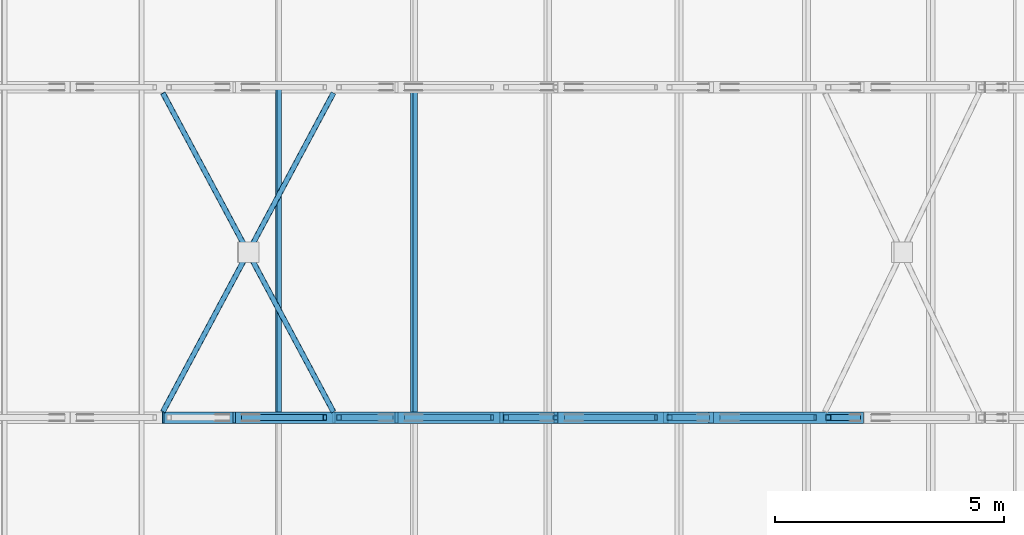
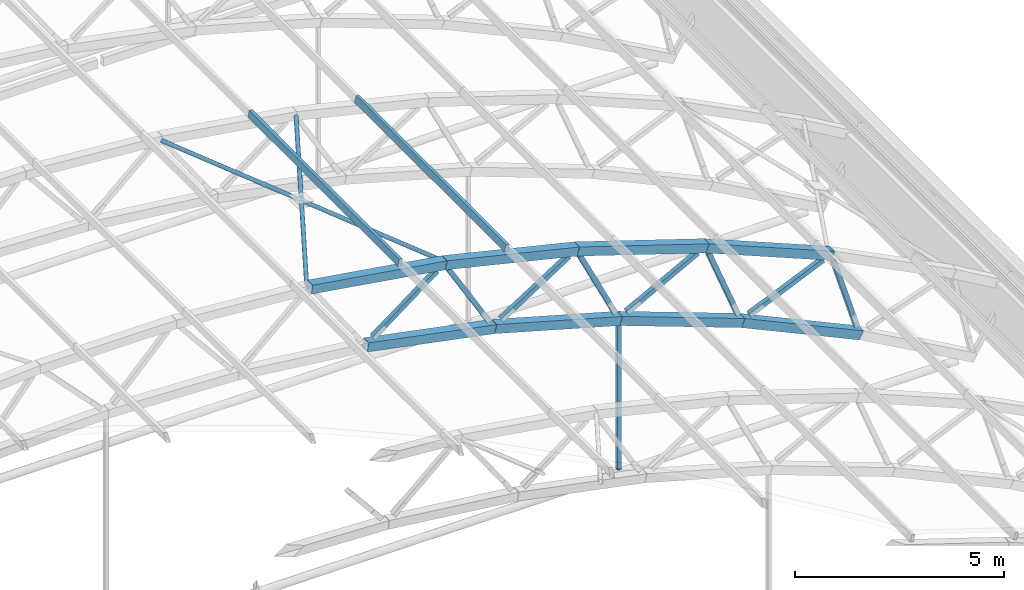
# One storey, part 23 of 127: 22 members.
"""IFC4 building model written with IfcOpenShell, lengths in metres."""

import ifcopenshell
import ifcopenshell.guid

model = None  # the IFC model being written
_history = None  # IfcOwnerHistory: only IFC2X3 demands one
_inside = {}  # id of a spatial element -> (the spatial element, [elements in it])
_under = {}  # id of a project, library or spatial element -> (it, [spatial elements below it])
_declared = {}  # id of a project -> (the project, [libraries it declares])
_typed = {}  # id of a type object -> (the type object, [elements of that type])
_made_of = {}  # id of a material, layer set ... -> (it, [elements and type objects made of it])


def new_model(schema):
    """Start an empty IFC model of exactly this schema.

    Asked for "IFC4X3", IfcOpenShell would pick the latest addendum, in which some entities
    have other attributes; the version numbers below select the first issue.
    IFC2X3 requires an IfcOwnerHistory on every rooted entity: one is made here for all.
    """
    global model, _history
    if schema == "IFC4X3":
        model = ifcopenshell.file(schema_version=(4, 3, 0, 0))
    else:
        model = ifcopenshell.file(schema=schema)
    _inside.clear()
    _under.clear()
    _declared.clear()
    _typed.clear()
    _made_of.clear()
    _history = None
    if model.schema == "IFC2X3":
        org = make("IfcOrganization", Name="unknown")
        user = make(
            "IfcPersonAndOrganization",
            ThePerson=make("IfcPerson", FamilyName="unknown"),
            TheOrganization=org,
        )
        app = make(
            "IfcApplication",
            ApplicationDeveloper=org,
            Version="unknown",
            ApplicationFullName="unknown",
            ApplicationIdentifier="unknown",
        )
        _history = make(
            "IfcOwnerHistory",
            OwningUser=user,
            OwningApplication=app,
            ChangeAction="ADDED",
            CreationDate=0,
        )
    return model


def make(cls, **values):
    """One entity of the class cls with the attributes given. An attribute that is None is left unset."""
    return model.create_entity(
        cls, **{name: value for name, value in values.items() if value is not None}
    )


def rooted(cls, **values):
    """An entity with a GlobalId (a new one), such as an element, a storey or a relation."""
    return make(cls, GlobalId=ifcopenshell.guid.new(), OwnerHistory=_history, **values)


def si_unit(unit_type, name, prefix=None):
    """IfcSIUnit, for example si_unit("LENGTHUNIT", "METRE", prefix="MILLI")."""
    return make("IfcSIUnit", UnitType=unit_type, Prefix=prefix, Name=name)


def assignment(units):
    """IfcUnitAssignment: the units of a project."""
    return None if units is None else make("IfcUnitAssignment", Units=units)


def point(xyz):
    """IfcCartesianPoint."""
    return None if xyz is None else make("IfcCartesianPoint", Coordinates=xyz)


def direction(xyz):
    """IfcDirection."""
    return None if xyz is None else make("IfcDirection", DirectionRatios=xyz)


def frame(location, z_axis=None, x_axis=None):
    """IfcAxis2Placement3D, a coordinate frame: its origin and axes. An axis left out is left unset."""
    return make(
        "IfcAxis2Placement3D",
        Location=point(location),
        Axis=direction(z_axis),
        RefDirection=direction(x_axis),
    )


def frame_2d(location, x_axis=None):
    """IfcAxis2Placement2D, a coordinate frame in the plane: its origin and x axis."""
    return make(
        "IfcAxis2Placement2D", Location=point(location), RefDirection=direction(x_axis)
    )


def origin():
    """The frame at (0, 0, 0) with its axes left unset."""
    return frame((0.0, 0.0, 0.0))


def origin_2d():
    """The frame at (0, 0) in the plane with its x axis left unset."""
    return frame_2d((0.0, 0.0))


def place(relative_to, where):
    """IfcLocalPlacement: puts the frame where relative to a parent placement (None: the world)."""
    return make(
        "IfcLocalPlacement", PlacementRelTo=relative_to, RelativePlacement=where
    )


def context(
    kind, dimensions, precision=None, world=None, true_north=None, identifier=None
):
    """IfcGeometricRepresentationContext, for example the 3D "Model" context."""
    return make(
        "IfcGeometricRepresentationContext",
        ContextIdentifier=identifier,
        ContextType=kind,
        CoordinateSpaceDimension=dimensions,
        Precision=precision,
        WorldCoordinateSystem=world,
        TrueNorth=true_north,
    )


def subcontext(parent, identifier, kind, view, scale=None):
    """IfcGeometricRepresentationSubContext, for example "Body" below "Model"."""
    return make(
        "IfcGeometricRepresentationSubContext",
        ContextIdentifier=identifier,
        ContextType=kind,
        ParentContext=parent,
        TargetScale=scale,
        TargetView=view,
    )


def project(units=None, contexts=None):
    """IfcProject with its units and contexts."""
    return rooted(
        "IfcProject",
        Name="project",
        RepresentationContexts=contexts,
        UnitsInContext=assignment(units),
    )


def spatial(cls, under=None, at=None, **own):
    """A site, building, storey or space (cls), placed at a placement, below another one or the project."""
    s = rooted(cls, ObjectPlacement=at, **own)
    if under is not None:
        _under.setdefault(under.id(), (under, []))[1].append(s)
    return s


def profile(cls, at=None, kind="AREA", **sizes):
    """A parametric profile (cls). Its sizes go by their IFC names, for example OverallWidth=200.0."""
    return make(cls, ProfileType=kind, Position=at, **sizes)


def hollow_rectangle(**sizes):
    """IfcRectangleHollowProfileDef."""
    return profile("IfcRectangleHollowProfileDef", **sizes)


def hollow_circle(**sizes):
    """IfcCircleHollowProfileDef."""
    return profile("IfcCircleHollowProfileDef", **sizes)


def extrude(swept, where, along, depth):
    """IfcExtrudedAreaSolid: the profile swept, set in the frame where, extruded along a direction by depth."""
    return make(
        "IfcExtrudedAreaSolid",
        SweptArea=swept,
        Position=where,
        ExtrudedDirection=direction(along),
        Depth=depth,
    )


def shape(context_of_items, identifier, shape_type, items):
    """IfcShapeRepresentation: the items that make up one representation, for example the "Body"."""
    return make(
        "IfcShapeRepresentation",
        ContextOfItems=context_of_items,
        RepresentationIdentifier=identifier,
        RepresentationType=shape_type,
        Items=items,
    )


def material(Name=None, Category=None):
    """IfcMaterial."""
    return make("IfcMaterial", Name=Name, Category=Category)


def material_profile(
    of_material, cross_section, Name=None, Category=None, Priority=None
):
    """IfcMaterialProfile: a cross section and its material."""
    return make(
        "IfcMaterialProfile",
        Name=Name,
        Material=of_material,
        Profile=cross_section,
        Priority=Priority,
        Category=Category,
    )


def profile_set(profiles, Name=None, composite=None):
    """IfcMaterialProfileSet."""
    return make(
        "IfcMaterialProfileSet",
        Name=Name,
        MaterialProfiles=profiles,
        CompositeProfile=composite,
    )


def made_of(thing, what):
    """Note that an element or type object is made of a material, layer set ...; save() writes the relation."""
    if what is not None:
        _made_of.setdefault(what.id(), (what, []))[1].append(thing)
    return thing


def type_object(cls, material=None, **own):
    """A type object (cls), such as IfcWallType, which elements share."""
    return made_of(rooted(cls, **own), material)


def element(
    cls,
    number,
    at=None,
    inside=None,
    cuts=None,
    type_object=None,
    material=None,
    context=None,
    identifier="Body",
    shape_type=None,
    held_by="IfcProductDefinitionShape",
    body=None,
    shapes=None,
    **own,
):
    """One element of the class cls, such as IfcWall. Its Tag is "e" and its number.

    at: its placement. inside: the storey or other place that contains it. cuts: it is an
    opening in that element (IfcRelVoidsElement). A single representation is given by context,
    identifier, shape_type and body (its items); several are given by shapes. held_by: the class
    of the entity that holds the representations. save() writes the other relations.
    """
    e = rooted(cls, Tag="e%d" % number, ObjectPlacement=at, **own)
    if body is not None:
        shapes = [shape(context, identifier, shape_type, body)]
    if shapes is not None:
        e.Representation = make(held_by, Representations=shapes)
    if inside is not None:
        _inside.setdefault(inside.id(), (inside, []))[1].append(e)
    if cuts is not None:
        rooted(
            "IfcRelVoidsElement", RelatingBuildingElement=cuts, RelatedOpeningElement=e
        )
    if type_object is not None:
        _typed.setdefault(type_object.id(), (type_object, []))[1].append(e)
    return made_of(e, material)


def aggregate(whole, parts):
    """IfcRelAggregates: a whole, such as a stair, and the parts it consists of."""
    return rooted("IfcRelAggregates", RelatingObject=whole, RelatedObjects=parts)


def save(model, path):
    """Write the relations noted so far, then the file.

    IfcRelAggregates (storeys below a building ...), IfcRelContainedInSpatialStructure (elements
    in a storey), IfcRelDefinesByType, IfcRelAssociatesMaterial and IfcRelDeclares: one each for
    every whole, place, type object, material and project.
    """
    for whole, parts in _under.values():
        aggregate(whole, parts)
    for where, things in _inside.values():
        rooted(
            "IfcRelContainedInSpatialStructure",
            RelatedElements=things,
            RelatingStructure=where,
        )
    for kind, things in _typed.values():
        rooted("IfcRelDefinesByType", RelatedObjects=things, RelatingType=kind)
    for what, things in _made_of.values():
        rooted("IfcRelAssociatesMaterial", RelatedObjects=things, RelatingMaterial=what)
    for by, libraries in _declared.values():
        rooted("IfcRelDeclares", RelatingContext=by, RelatedDefinitions=libraries)
    model.write(path)


model = new_model("IFC4")

# Units and contexts
model_context = context("Model", 3, precision=1e-05, world=origin(), true_north=direction((0.0, 1.0)))
body_context = subcontext(model_context, "Body", "Model", "MODEL_VIEW")
ifc_project = project(units=[si_unit("LENGTHUNIT", "METRE"), si_unit("AREAUNIT", "SQUARE_METRE"), si_unit("VOLUMEUNIT", "CUBIC_METRE"), si_unit("PLANEANGLEUNIT", "RADIAN"), si_unit("MASSUNIT", "GRAM", prefix="KILO")], contexts=[model_context])

# Site, building, storey
site_placement = place(None, origin())
site = spatial("IfcSite", under=ifc_project, at=site_placement, CompositionType="ELEMENT")
building_placement = place(site_placement, origin())
building = spatial("IfcBuilding", under=site, at=building_placement, Name="Verrick Yard Athletic Hall", CompositionType="ELEMENT")
storey_placement = place(building_placement, frame((0.0, 0.0, 14.0)))
storey = spatial("IfcBuildingStorey", under=building, at=storey_placement, Name="L03", CompositionType="ELEMENT", Elevation=14.0)

# Members
ifc_material = material(Name="Structural steel HSS Class C 350W (CSA G40.20/G40.21)", Category="steel")
ifc_material_profile_1 = material_profile(ifc_material, hollow_rectangle(XDim=0.25390625, YDim=0.25390625, WallThickness=0.009521484375, at=origin_2d()), Name="HSS254x254x9.5")
ifc_profile_set_1 = profile_set([ifc_material_profile_1], Name="Structural steel HSS Class C 350W (CSA G40.20/G40.21)")
member_type_1 = type_object("IfcMemberType", Name="HB bottom chord HSS254x254x9.5", PredefinedType="CHORD", material=ifc_profile_set_1)
member_1_placement = place(storey_placement, frame((59.189208984375, 86.39990234375, 6.191650390625), z_axis=(0.980848695375, 0.0, -0.194771242181), x_axis=(0.0, 1.0, 0.0)))
element("IfcMember", 1, at=member_1_placement, inside=storey, type_object=member_type_1, Name="Truss TB3 bottom chord 10", PredefinedType="CHORD", context=body_context, shape_type="SweptSolid", body=[
    extrude(hollow_rectangle(XDim=0.25390625, YDim=0.25390625, WallThickness=0.009521484375, at=origin_2d()), origin(), (0.0, 0.0, 1.0), 3.59619140625),
])
for number, where, z_axis, x_axis, name in (
    (2, (62.726318359375, 86.39990234375, 5.489013671875), (0.962572378456, 0.0, -0.271024752066), (0.0, 1.0, 0.0), "Truss TB3 bottom chord 11"),
    (3, (66.197265625, 86.39990234375, 4.51123046875), (0.938394107905, 0.0, -0.345566922966), (0.0, 1.0, 0.0), "Truss TB3 bottom chord 12"),
):
    element("IfcMember", number, at=place(storey_placement, frame(where, z_axis=z_axis, x_axis=x_axis)), inside=storey, type_object=member_type_1, Name=name, PredefinedType="CHORD", context=body_context, shape_type="SweptSolid", body=[
        extrude(hollow_rectangle(XDim=0.25390625, YDim=0.25390625, WallThickness=0.009521484375, at=origin_2d()), origin(), (0.0, 0.0, 1.0), 3.595947265625),
    ])
member_2_placement = place(storey_placement, frame((69.580810546875, 86.39990234375, 3.2646484375), z_axis=(0.908445597889, 0.0, -0.418003104865), x_axis=(0.0, 1.0, 0.0)))
element("IfcMember", 4, at=member_2_placement, inside=storey, type_object=member_type_1, Name="Truss TB3 bottom chord 13", PredefinedType="CHORD", context=body_context, shape_type="SweptSolid", body=[
    extrude(hollow_rectangle(XDim=0.25390625, YDim=0.25390625, WallThickness=0.009521484375, at=origin_2d()), origin(), (0.0, 0.0, 1.0), 3.59619140625),
])
ifc_material_profile_2 = material_profile(ifc_material, hollow_rectangle(XDim=0.1015625, YDim=0.203125, WallThickness=0.009521484375, at=origin_2d()), Name="HSS203x102x9.5")
ifc_profile_set_2 = profile_set([ifc_material_profile_2], Name="Structural steel HSS Class C 350W (CSA G40.20/G40.21)")
member_type_2 = type_object("IfcMemberType", Name="HB purlin HSS203x102x9.5", PredefinedType="PURLIN", material=ifc_profile_set_2)
for number, where, z_axis, x_axis, name in (
    (5, (60.153076171875, 86.39990234375, 8.258544921875), (0.0, 1.0, 0.0), (-0.987728086354, 0.0, 0.156183313539), "HB-PU-B-3-12"),
    (6, (63.10693359375, 86.39990234375, 7.651611328125), (0.0, 1.0, 0.0), (-0.972458956474, 0.0, 0.23307418985), "HB-PU-B-3-13"),
):
    element("IfcMember", number, at=place(storey_placement, frame(where, z_axis=z_axis, x_axis=x_axis)), inside=storey, type_object=member_type_2, Name=name, PredefinedType="PURLIN", context=body_context, shape_type="SweptSolid", body=[
        extrude(hollow_rectangle(XDim=0.1015625, YDim=0.203125, WallThickness=0.009521484375, at=origin_2d()), origin(), (0.0, 0.0, 1.0), 7.2001953125),
    ])
ifc_material_profile_3 = material_profile(ifc_material, hollow_circle(Radius=0.05712890625, WallThickness=0.00634765625, at=origin_2d()), Name="HSS114x6.4")
ifc_profile_set_3 = profile_set([ifc_material_profile_3], Name="Structural steel HSS Class C 350W (CSA G40.20/G40.21)")
member_type_3 = type_object("IfcMemberType", Name="HB roof brace HSS114x6.4", PredefinedType="BRACE", material=ifc_profile_set_3)
for number, where, z_axis, x_axis, name in (
    (7, (57.6328125, 86.527099609375, 8.425537109375), (0.470471333752, 0.879275866064, -0.074368511315), (-0.881717493365, 0.471777767486, 0.0), "HB-BR-B-3-8b1"),
    (8, (59.540771484375, 90.0927734375, 8.123779296875), (0.470471333752, 0.879275866064, -0.074368511315), (-0.881717493365, 0.471777767486, 0.0), "HB-BR-B-3-8b2"),
):
    element("IfcMember", number, at=place(storey_placement, frame(where, z_axis=z_axis, x_axis=x_axis)), inside=storey, type_object=member_type_3, Name=name, PredefinedType="BRACE", context=body_context, shape_type="SweptSolid", body=[
        extrude(hollow_circle(Radius=0.05712890625, WallThickness=0.00634765625, at=origin_2d()), origin(), (0.0, 0.0, 1.0), 3.84423828125),
    ])
member_3_placement = place(storey_placement, frame((61.349365234375, 86.527099609375, 7.837890625), z_axis=(-0.470478959387, 0.879269946434, 0.074390255222), x_axis=(-0.881712991222, -0.47178618156, 0.0)))
element("IfcMember", 9, at=member_3_placement, inside=storey, type_object=member_type_3, Name="HB-BR-B-3-8a", PredefinedType="BRACE", context=body_context, shape_type="SweptSolid", body=[
    extrude(hollow_circle(Radius=0.05712890625, WallThickness=0.00634765625, at=origin_2d()), origin(), (0.0, 0.0, 1.0), 7.8994140625),
])
ifc_material_profile_4 = material_profile(ifc_material, hollow_rectangle(XDim=0.25390625, YDim=0.25390625, WallThickness=0.009521484375, at=origin_2d()), Name="HSS254x254x9.5")
ifc_profile_set_4 = profile_set([ifc_material_profile_4], Name="Structural steel HSS Class C 350W (CSA G40.20/G40.21)")
member_type_4 = type_object("IfcMemberType", Name="HB top chord HSS254x254x9.5", PredefinedType="CHORD", material=ifc_profile_set_4)
member_4_placement = place(storey_placement, frame((57.6376953125, 86.39990234375, 8.4248046875), z_axis=(0.987726014692, 0.0, -0.156196414495), x_axis=(0.0, 1.0, 0.0)))
element("IfcMember", 10, at=member_4_placement, inside=storey, type_object=member_type_4, Name="Truss TB3 top chord 10", PredefinedType="CHORD", context=body_context, shape_type="SweptSolid", body=[
    extrude(hollow_rectangle(XDim=0.25390625, YDim=0.25390625, WallThickness=0.009521484375, at=origin_2d()), origin(), (0.0, 0.0, 1.0), 3.7529296875),
])
for number, where, z_axis, x_axis, name in (
    (11, (61.354248046875, 86.39990234375, 7.836669921875), (0.972453991168, 0.0, -0.233094905697), (0.0, 1.0, 0.0), "Truss TB3 top chord 11"),
    (12, (65.013427734375, 86.39990234375, 6.959228515625), (0.951202693453, 0.0, -0.308566744754), (0.0, 1.0, 0.0), "Truss TB3 top chord 12"),
    (13, (68.592529296875, 86.39990234375, 5.7978515625), (0.924130129149, 0.0, -0.382077877402), (0.0, 1.0, 0.0), "Truss TB3 top chord 13"),
):
    element("IfcMember", number, at=place(storey_placement, frame(where, z_axis=z_axis, x_axis=x_axis)), inside=storey, type_object=member_type_4, Name=name, PredefinedType="CHORD", context=body_context, shape_type="SweptSolid", body=[
        extrude(hollow_rectangle(XDim=0.25390625, YDim=0.25390625, WallThickness=0.009521484375, at=origin_2d()), origin(), (0.0, 0.0, 1.0), 3.752685546875),
    ])
ifc_material_profile_5 = material_profile(ifc_material, hollow_rectangle(XDim=0.1015625, YDim=0.1015625, WallThickness=0.00634765625, at=origin_2d()), Name="HSS102x102x6.4")
ifc_profile_set_5 = profile_set([ifc_material_profile_5], Name="Structural steel HSS Class C 350W (CSA G40.20/G40.21)")
member_type_5 = type_object("IfcMemberType", Name="HB truss hanger HSS102x102x6.4", PredefinedType="MEMBER", material=ifc_profile_set_5)
member_5_placement = place(storey_placement, frame((66.192626953125, 86.39990234375, 4.35888671875), z_axis=(0.0, 0.0, -1.0), x_axis=(0.0, -1.0, 0.0)))
element("IfcMember", 14, at=member_5_placement, inside=storey, type_object=member_type_5, Name="Truss TB3 hanger 3", PredefinedType="MEMBER", context=body_context, shape_type="SweptSolid", body=[
    extrude(hollow_rectangle(XDim=0.1015625, YDim=0.1015625, WallThickness=0.00634765625, at=origin_2d()), origin(), (0.0, 0.0, 1.0), 4.249267578125),
])
ifc_material_profile_6 = material_profile(ifc_material, hollow_rectangle(XDim=0.126953125, YDim=0.126953125, WallThickness=0.009521484375, at=origin_2d()), Name="HSS127x127x9.5")
ifc_profile_set_6 = profile_set([ifc_material_profile_6], Name="Structural steel HSS Class C 350W (CSA G40.20/G40.21)")
member_type_6 = type_object("IfcMemberType", Name="HB truss web HSS127x127x9.5", PredefinedType="BRACE", material=ifc_profile_set_6)
member_6_placement = place(storey_placement, frame((59.382568359375, 86.39990234375, 6.34326171875), z_axis=(0.796206425538, 0.0, 0.605025063887), x_axis=(0.0, 1.0, 0.0)))
element("IfcMember", 15, at=member_6_placement, inside=storey, type_object=member_type_6, Name="Truss TB3 web 19", PredefinedType="BRACE", context=body_context, shape_type="SweptSolid", body=[
    extrude(hollow_rectangle(XDim=0.126953125, YDim=0.126953125, WallThickness=0.009521484375, at=origin_2d()), origin(), (0.0, 0.0, 1.0), 2.2333984375),
])
for number, where, z_axis, x_axis, name in (
    (16, (61.46875, 86.39990234375, 7.633544921875), (0.504625153938, 0.0, -0.863338551214), (0.0, 1.0, 0.0), "Truss TB3 web 20"),
    (17, (62.9306640625, 86.39990234375, 5.624755859375), (0.841118094735, 0.0, 0.54085150523), (0.0, 1.0, 0.0), "Truss TB3 web 21"),
    (18, (65.111572265625, 86.39990234375, 6.74755859375), (0.435458074734, 0.0, -0.900209011924), (0.0, 1.0, 0.0), "Truss TB3 web 22"),
    (19, (66.41162109375, 86.39990234375, 4.630615234375), (0.880902446091, 0.0, 0.473297877103), (0.0, 1.0, 0.0), "Truss TB3 web 23"),
    (20, (68.673828125, 86.39990234375, 5.579345703125), (0.363632709383, 0.0, -0.93154240519), (0.0, 1.0, 0.0), "Truss TB3 web 24"),
    (21, (69.803955078125, 86.39990234375, 3.366943359375), (0.915297302882, 0.0, 0.402778906272), (0.0, 1.0, 0.0), "Truss TB3 web 25"),
    (22, (72.1337890625, 86.39990234375, 4.135498046875), (0.289443070658, 0.0, -0.957195230268), (0.0, 1.0, 0.0), "Truss TB3 web 26"),
):
    element("IfcMember", number, at=place(storey_placement, frame(where, z_axis=z_axis, x_axis=x_axis)), inside=storey, type_object=member_type_6, Name=name, PredefinedType="BRACE", context=body_context, shape_type="SweptSolid", body=[
        extrude(hollow_rectangle(XDim=0.126953125, YDim=0.126953125, WallThickness=0.009521484375, at=origin_2d()), origin(), (0.0, 0.0, 1.0), 2.233642578125),
    ])

save(model, "model.ifc")
